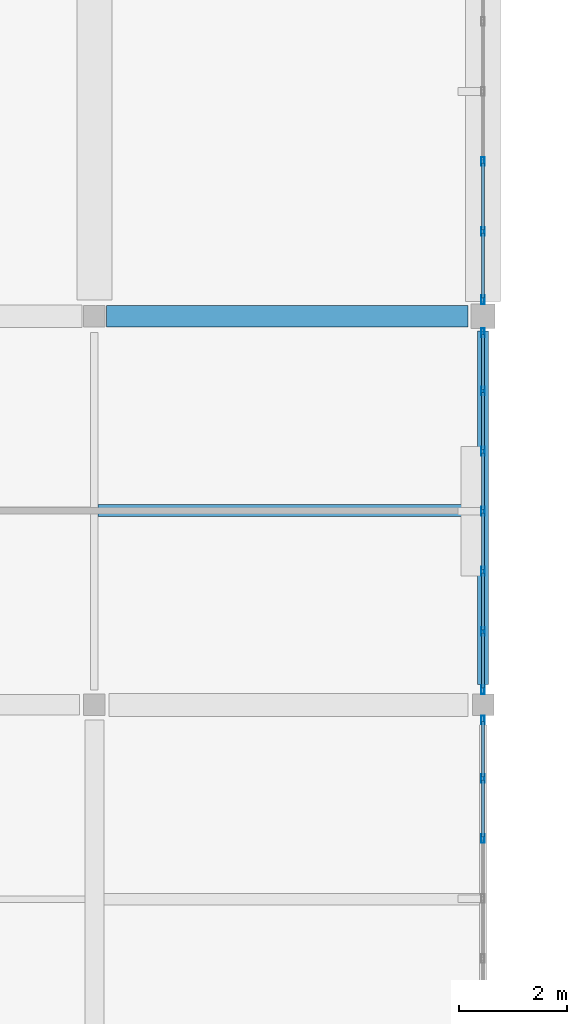
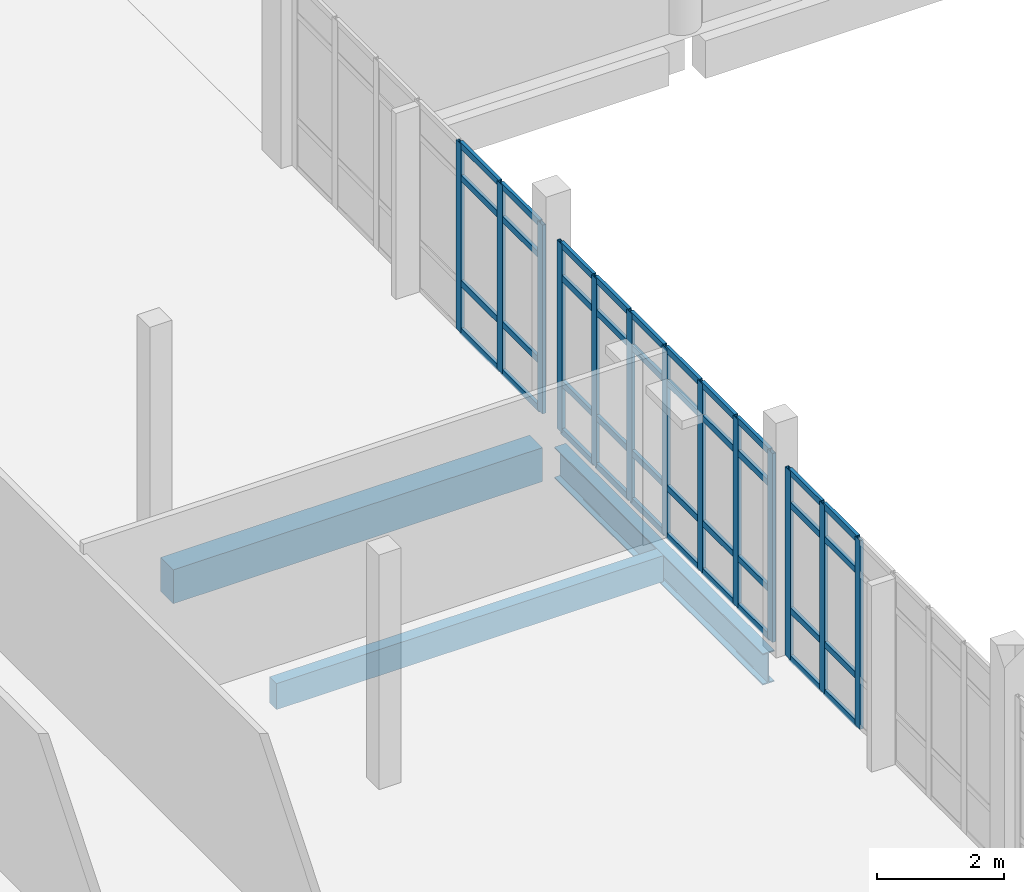
# One storey, part 22 of 62: 53 members, 3 beams, 3 elements without a shape of their own.
"""IFC4 building model written with IfcOpenShell, lengths in metres."""

from ifc_helpers import new_model, si_unit, direction, frame, origin, origin_2d, place, context, subcontext, project, spatial, rectangle, hollow_rectangle, i_section, extrude, material, material_profile, profile_set, type_object, element, aggregate, save


model = new_model("IFC4")

# Units and contexts
model_context = context("Model", 3, precision=1e-05, world=origin(), true_north=direction((0.0, 1.0)))
body_context = subcontext(model_context, "Body", "Model", "MODEL_VIEW")
ifc_project = project(units=[si_unit("LENGTHUNIT", "METRE"), si_unit("AREAUNIT", "SQUARE_METRE"), si_unit("VOLUMEUNIT", "CUBIC_METRE"), si_unit("PLANEANGLEUNIT", "RADIAN"), si_unit("MASSUNIT", "GRAM", prefix="KILO")], contexts=[model_context])

# Site, building, storey
site_placement = place(None, origin())
site = spatial("IfcSite", under=ifc_project, at=site_placement, CompositionType="ELEMENT")
building_placement = place(site_placement, origin())
building = spatial("IfcBuilding", under=site, at=building_placement, Name="Kalluvel Institute of Natural Sciences", CompositionType="ELEMENT")
storey_placement = place(building_placement, frame((0.0, 0.0, 27.89990234375)))
storey = spatial("IfcBuildingStorey", under=building, at=storey_placement, Name="L06", CompositionType="ELEMENT", Elevation=27.89990234375)

# Beams
ifc_material_1 = material(Name="Steel E350 Grade 350", Category="steel")
ifc_material_profile_1 = material_profile(ifc_material_1, i_section(OverallWidth=0.2099609375, OverallDepth=0.60009765625, WebThickness=0.011962890625, FlangeThickness=0.020751953125, FilletRadius=0.02001953125, at=origin_2d()), Name="ISMB 600")
ifc_profile_set_1 = profile_set([ifc_material_profile_1], Name="Steel E350 Grade 350")
beam_type_1 = type_object("IfcBeamType", Name="BM-ISMB600", PredefinedType="BEAM", material=ifc_profile_set_1)
beam_1_placement = place(storey_placement, frame((35.60009765625, 79.175048828125, -0.599853515625), z_axis=(0.0, 1.0, 0.0), x_axis=(-1.0, 0.0, 0.0)))
element("IfcBeam", 1, at=beam_1_placement, inside=storey, type_object=beam_type_1, Name="L06 girder GIR-L06-NS-X356-Y788", PredefinedType="BEAM", context=body_context, shape_type="SweptSolid", body=[
    extrude(i_section(OverallWidth=0.2099609375, OverallDepth=0.60009765625, WebThickness=0.011962890625, FlangeThickness=0.020751953125, FilletRadius=0.02001953125, at=origin_2d()), origin(), (0.0, 0.0, 1.0), 6.550048828125),
])
ifc_material_2 = material(Name="Concrete M40", Category="concrete")
ifc_material_profile_2 = material_profile(ifc_material_2, rectangle(XDim=0.39990234375, YDim=0.64990234375, at=origin_2d()), Name="RCB 400x650")
ifc_profile_set_2 = profile_set([ifc_material_profile_2], Name="Concrete M40")
beam_type_2 = type_object("IfcBeamType", Name="BM-RC400x650", PredefinedType="BEAM", material=ifc_profile_set_2)
beam_2_placement = place(storey_placement, frame((28.625, 86.0, -0.625), z_axis=(1.0, 0.0, 0.0), x_axis=(0.0, 1.0, 0.0)))
element("IfcBeam", 2, at=beam_2_placement, inside=storey, type_object=beam_type_2, Name="L06 girder GIR-L06-EW-X284-Y860", PredefinedType="BEAM", context=body_context, shape_type="SweptSolid", body=[
    extrude(rectangle(XDim=0.39990234375, YDim=0.64990234375, at=origin_2d()), origin(), (0.0, 0.0, 1.0), 6.699951171875),
])

# Curtain wall, members
ifc_material_3 = material(Name="Aluminium AW-6063 T6", Category="aluminium")
curtain_wall_type = type_object("IfcCurtainWallType", Name="CW-DRY-45", PredefinedType="USERDEFINED", material=ifc_material_3)
curtain_wall_1_placement = place(storey_placement, origin())
curtain_wall_1 = element("IfcCurtainWall", 3, at=curtain_wall_1_placement, inside=storey, type_object=curtain_wall_type, Name="L06 Gothic lancet curtain wall CWA-L06-X356-Y719", ObjectType="UNITISED LANCET FACADE", PredefinedType="USERDEFINED")
ifc_material_profile_3 = material_profile(ifc_material_3, hollow_rectangle(XDim=0.06005859375, YDim=0.159912109375, WallThickness=0.00390625, at=origin_2d()), Name="CWM 60x160")
ifc_profile_set_3 = profile_set([ifc_material_profile_3], Name="Aluminium AW-6063 T6")
member_type_1 = type_object("IfcMemberType", Name="CWM-60x160", PredefinedType="MULLION", material=ifc_profile_set_3)
member_1_placement = place(storey_placement, frame((35.60009765625, 76.324951171875, 0.0), z_axis=(0.0, 0.0, 1.0), x_axis=(-1.0, 0.0, 0.0)))
member_1 = element("IfcMember", 4, at=member_1_placement, type_object=member_type_1, Name="CW-03 mullion 5", PredefinedType="MULLION", context=body_context, shape_type="SweptSolid", body=[
    extrude(hollow_rectangle(XDim=0.06005859375, YDim=0.159912109375, WallThickness=0.00390625, at=origin_2d()), origin(), (0.0, 0.0, 1.0), 3.6201171875),
])
member_2_placement = place(storey_placement, frame((35.60009765625, 77.4375, 0.0), z_axis=(0.0, 0.0, 1.0), x_axis=(-1.0, 0.0, 0.0)))
member_2 = element("IfcMember", 5, at=member_2_placement, type_object=member_type_1, Name="CW-03 mullion 6", PredefinedType="MULLION", context=body_context, shape_type="SweptSolid", body=[
    extrude(hollow_rectangle(XDim=0.06005859375, YDim=0.159912109375, WallThickness=0.00390625, at=origin_2d()), origin(), (0.0, 0.0, 1.0), 3.6201171875),
])
member_3_placement = place(storey_placement, frame((35.60009765625, 78.52001953125, 0.0), z_axis=(0.0, 0.0, 1.0), x_axis=(-1.0, 0.0, 0.0)))
member_3 = element("IfcMember", 6, at=member_3_placement, type_object=member_type_1, Name="CW-03 mullion 7", PredefinedType="MULLION", context=body_context, shape_type="SweptSolid", body=[
    extrude(hollow_rectangle(XDim=0.06005859375, YDim=0.159912109375, WallThickness=0.00390625, at=origin_2d()), origin(), (0.0, 0.0, 1.0), 3.6201171875),
])

curtain_wall_2_placement = place(storey_placement, origin())
curtain_wall_2 = element("IfcCurtainWall", 7, at=curtain_wall_2_placement, inside=storey, type_object=curtain_wall_type, Name="L06 Gothic lancet curtain wall CWA-L06-X356-Y790", ObjectType="UNITISED LANCET FACADE", PredefinedType="USERDEFINED")
member_4_placement = place(storey_placement, frame((35.60009765625, 79.080078125, 0.0), z_axis=(0.0, 0.0, 1.0), x_axis=(-1.0, 0.0, 0.0)))
member_4 = element("IfcMember", 8, at=member_4_placement, type_object=member_type_1, Name="CW-03 mullion 1", PredefinedType="MULLION", context=body_context, shape_type="SweptSolid", body=[
    extrude(hollow_rectangle(XDim=0.06005859375, YDim=0.159912109375, WallThickness=0.00390625, at=origin_2d()), origin(), (0.0, 0.0, 1.0), 3.6201171875),
])
member_5_placement = place(storey_placement, frame((35.60009765625, 80.16259765625, 0.0), z_axis=(0.0, 0.0, 1.0), x_axis=(-1.0, 0.0, 0.0)))
member_5 = element("IfcMember", 9, at=member_5_placement, type_object=member_type_1, Name="CW-03 mullion 2", PredefinedType="MULLION", context=body_context, shape_type="SweptSolid", body=[
    extrude(hollow_rectangle(XDim=0.06005859375, YDim=0.159912109375, WallThickness=0.00390625, at=origin_2d()), origin(), (0.0, 0.0, 1.0), 3.6201171875),
])
member_6_placement = place(storey_placement, frame((35.60009765625, 81.27490234375, 0.0), z_axis=(0.0, 0.0, 1.0), x_axis=(-1.0, 0.0, 0.0)))
member_6 = element("IfcMember", 10, at=member_6_placement, type_object=member_type_1, Name="CW-03 mullion 3", PredefinedType="MULLION", context=body_context, shape_type="SweptSolid", body=[
    extrude(hollow_rectangle(XDim=0.06005859375, YDim=0.159912109375, WallThickness=0.00390625, at=origin_2d()), origin(), (0.0, 0.0, 1.0), 3.6201171875),
])
member_7_placement = place(storey_placement, frame((35.60009765625, 82.387451171875, 0.0), z_axis=(0.0, 0.0, 1.0), x_axis=(-1.0, 0.0, 0.0)))
member_7 = element("IfcMember", 11, at=member_7_placement, type_object=member_type_1, Name="CW-03 mullion 4", PredefinedType="MULLION", context=body_context, shape_type="SweptSolid", body=[
    extrude(hollow_rectangle(XDim=0.06005859375, YDim=0.159912109375, WallThickness=0.00390625, at=origin_2d()), origin(), (0.0, 0.0, 1.0), 3.6201171875),
])
member_8_placement = place(storey_placement, frame((35.60009765625, 83.5, 0.0), z_axis=(0.0, 0.0, 1.0), x_axis=(-1.0, 0.0, 0.0)))
member_8 = element("IfcMember", 12, at=member_8_placement, type_object=member_type_1, Name="CW-03 mullion 5", PredefinedType="MULLION", context=body_context, shape_type="SweptSolid", body=[
    extrude(hollow_rectangle(XDim=0.06005859375, YDim=0.159912109375, WallThickness=0.00390625, at=origin_2d()), origin(), (0.0, 0.0, 1.0), 3.6201171875),
])
member_9_placement = place(storey_placement, frame((35.60009765625, 84.612548828125, 0.0), z_axis=(0.0, 0.0, 1.0), x_axis=(-1.0, 0.0, 0.0)))
member_9 = element("IfcMember", 13, at=member_9_placement, type_object=member_type_1, Name="CW-03 mullion 6", PredefinedType="MULLION", context=body_context, shape_type="SweptSolid", body=[
    extrude(hollow_rectangle(XDim=0.06005859375, YDim=0.159912109375, WallThickness=0.00390625, at=origin_2d()), origin(), (0.0, 0.0, 1.0), 3.6201171875),
])
member_10_placement = place(storey_placement, frame((35.60009765625, 85.695068359375, 0.0), z_axis=(0.0, 0.0, 1.0), x_axis=(-1.0, 0.0, 0.0)))
member_10 = element("IfcMember", 14, at=member_10_placement, type_object=member_type_1, Name="CW-03 mullion 7", PredefinedType="MULLION", context=body_context, shape_type="SweptSolid", body=[
    extrude(hollow_rectangle(XDim=0.06005859375, YDim=0.159912109375, WallThickness=0.00390625, at=origin_2d()), origin(), (0.0, 0.0, 1.0), 3.6201171875),
])

curtain_wall_3_placement = place(storey_placement, origin())
curtain_wall_3 = element("IfcCurtainWall", 15, at=curtain_wall_3_placement, inside=storey, type_object=curtain_wall_type, Name="L06 Gothic lancet curtain wall CWA-L06-X356-Y863", ObjectType="UNITISED LANCET FACADE", PredefinedType="USERDEFINED")
member_11_placement = place(storey_placement, frame((35.60009765625, 86.304931640625, 0.0), z_axis=(0.0, 0.0, 1.0), x_axis=(-1.0, 0.0, 0.0)))
member_11 = element("IfcMember", 16, at=member_11_placement, type_object=member_type_1, Name="CW-03 mullion 1", PredefinedType="MULLION", context=body_context, shape_type="SweptSolid", body=[
    extrude(hollow_rectangle(XDim=0.06005859375, YDim=0.159912109375, WallThickness=0.00390625, at=origin_2d()), origin(), (0.0, 0.0, 1.0), 3.6201171875),
])
member_12_placement = place(storey_placement, frame((35.60009765625, 87.57080078125, 0.0), z_axis=(0.0, 0.0, 1.0), x_axis=(-1.0, 0.0, 0.0)))
member_12 = element("IfcMember", 17, at=member_12_placement, type_object=member_type_1, Name="CW-03 mullion 2", PredefinedType="MULLION", context=body_context, shape_type="SweptSolid", body=[
    extrude(hollow_rectangle(XDim=0.06005859375, YDim=0.159912109375, WallThickness=0.00390625, at=origin_2d()), origin(), (0.0, 0.0, 1.0), 3.6201171875),
])
member_13_placement = place(storey_placement, frame((35.60009765625, 88.86669921875, 0.0), z_axis=(0.0, 0.0, 1.0), x_axis=(-1.0, 0.0, 0.0)))
member_13 = element("IfcMember", 18, at=member_13_placement, type_object=member_type_1, Name="CW-03 mullion 3", PredefinedType="MULLION", context=body_context, shape_type="SweptSolid", body=[
    extrude(hollow_rectangle(XDim=0.06005859375, YDim=0.159912109375, WallThickness=0.00390625, at=origin_2d()), origin(), (0.0, 0.0, 1.0), 3.6201171875),
])

# Member
ifc_material_profile_4 = material_profile(ifc_material_3, hollow_rectangle(XDim=0.06005859375, YDim=0.1201171875, WallThickness=0.00390625, at=origin_2d()), Name="CWT 60x120")
ifc_profile_set_4 = profile_set([ifc_material_profile_4], Name="Aluminium AW-6063 T6")
member_type_2 = type_object("IfcMemberType", Name="CWT-60x120", PredefinedType="USERDEFINED", material=ifc_profile_set_4)
member_14_placement = place(storey_placement, frame((35.60009765625, 76.35498046875, 0.030029296875), z_axis=(0.0, 1.0, 0.0), x_axis=(-1.0, 0.0, 0.0)))
member_14 = element("IfcMember", 19, at=member_14_placement, type_object=member_type_2, Name="CW-03 transom 5.1", ObjectType="TRANSOM", PredefinedType="USERDEFINED", context=body_context, shape_type="SweptSolid", body=[
    extrude(hollow_rectangle(XDim=0.06005859375, YDim=0.1201171875, WallThickness=0.00390625, at=origin_2d()), origin(), (0.0, 0.0, 1.0), 1.052490234375),
])

member_15_placement = place(storey_placement, frame((35.60009765625, 76.35498046875, 0.9501953125), z_axis=(0.0, 1.0, 0.0), x_axis=(-1.0, 0.0, 0.0)))
member_15 = element("IfcMember", 20, at=member_15_placement, type_object=member_type_2, Name="CW-03 transom 5.2", ObjectType="TRANSOM", PredefinedType="USERDEFINED", context=body_context, shape_type="SweptSolid", body=[
    extrude(hollow_rectangle(XDim=0.06005859375, YDim=0.1201171875, WallThickness=0.00390625, at=origin_2d()), origin(), (0.0, 0.0, 1.0), 1.052490234375),
])

member_16_placement = place(storey_placement, frame((35.60009765625, 76.35498046875, 2.97021484375), z_axis=(0.0, 1.0, 0.0), x_axis=(-1.0, 0.0, 0.0)))
member_16 = element("IfcMember", 21, at=member_16_placement, type_object=member_type_2, Name="CW-03 transom 5.3", ObjectType="TRANSOM", PredefinedType="USERDEFINED", context=body_context, shape_type="SweptSolid", body=[
    extrude(hollow_rectangle(XDim=0.06005859375, YDim=0.1201171875, WallThickness=0.00390625, at=origin_2d()), origin(), (0.0, 0.0, 1.0), 1.052490234375),
])

member_17_placement = place(storey_placement, frame((35.60009765625, 76.35498046875, 3.590087890625), z_axis=(0.0, 1.0, 0.0), x_axis=(-1.0, 0.0, 0.0)))
member_17 = element("IfcMember", 22, at=member_17_placement, type_object=member_type_2, Name="CW-03 transom 5.4", ObjectType="TRANSOM", PredefinedType="USERDEFINED", context=body_context, shape_type="SweptSolid", body=[
    extrude(hollow_rectangle(XDim=0.06005859375, YDim=0.1201171875, WallThickness=0.00390625, at=origin_2d()), origin(), (0.0, 0.0, 1.0), 1.052490234375),
])

member_18_placement = place(storey_placement, frame((35.60009765625, 77.467529296875, 0.030029296875), z_axis=(0.0, 1.0, 0.0), x_axis=(-1.0, 0.0, 0.0)))
member_18 = element("IfcMember", 23, at=member_18_placement, type_object=member_type_2, Name="CW-03 transom 6.1", ObjectType="TRANSOM", PredefinedType="USERDEFINED", context=body_context, shape_type="SweptSolid", body=[
    extrude(hollow_rectangle(XDim=0.06005859375, YDim=0.1201171875, WallThickness=0.00390625, at=origin_2d()), origin(), (0.0, 0.0, 1.0), 1.0224609375),
])

member_19_placement = place(storey_placement, frame((35.60009765625, 77.467529296875, 0.9501953125), z_axis=(0.0, 1.0, 0.0), x_axis=(-1.0, 0.0, 0.0)))
member_19 = element("IfcMember", 24, at=member_19_placement, type_object=member_type_2, Name="CW-03 transom 6.2", ObjectType="TRANSOM", PredefinedType="USERDEFINED", context=body_context, shape_type="SweptSolid", body=[
    extrude(hollow_rectangle(XDim=0.06005859375, YDim=0.1201171875, WallThickness=0.00390625, at=origin_2d()), origin(), (0.0, 0.0, 1.0), 1.0224609375),
])

member_20_placement = place(storey_placement, frame((35.60009765625, 77.467529296875, 2.97021484375), z_axis=(0.0, 1.0, 0.0), x_axis=(-1.0, 0.0, 0.0)))
member_20 = element("IfcMember", 25, at=member_20_placement, type_object=member_type_2, Name="CW-03 transom 6.3", ObjectType="TRANSOM", PredefinedType="USERDEFINED", context=body_context, shape_type="SweptSolid", body=[
    extrude(hollow_rectangle(XDim=0.06005859375, YDim=0.1201171875, WallThickness=0.00390625, at=origin_2d()), origin(), (0.0, 0.0, 1.0), 1.0224609375),
])

member_21_placement = place(storey_placement, frame((35.60009765625, 77.467529296875, 3.590087890625), z_axis=(0.0, 1.0, 0.0), x_axis=(-1.0, 0.0, 0.0)))
member_21 = element("IfcMember", 26, at=member_21_placement, type_object=member_type_2, Name="CW-03 transom 6.4", ObjectType="TRANSOM", PredefinedType="USERDEFINED", context=body_context, shape_type="SweptSolid", body=[
    extrude(hollow_rectangle(XDim=0.06005859375, YDim=0.1201171875, WallThickness=0.00390625, at=origin_2d()), origin(), (0.0, 0.0, 1.0), 1.0224609375),
])

aggregate(curtain_wall_1, [member_1, member_2, member_3, member_14, member_15, member_16, member_17, member_18, member_19, member_20, member_21])

member_22_placement = place(storey_placement, frame((35.60009765625, 79.110107421875, 0.030029296875), z_axis=(0.0, 1.0, 0.0), x_axis=(-1.0, 0.0, 0.0)))
member_22 = element("IfcMember", 27, at=member_22_placement, type_object=member_type_2, Name="CW-03 transom 1.1", ObjectType="TRANSOM", PredefinedType="USERDEFINED", context=body_context, shape_type="SweptSolid", body=[
    extrude(hollow_rectangle(XDim=0.06005859375, YDim=0.1201171875, WallThickness=0.00390625, at=origin_2d()), origin(), (0.0, 0.0, 1.0), 1.0224609375),
])

member_23_placement = place(storey_placement, frame((35.60009765625, 79.110107421875, 0.9501953125), z_axis=(0.0, 1.0, 0.0), x_axis=(-1.0, 0.0, 0.0)))
member_23 = element("IfcMember", 28, at=member_23_placement, type_object=member_type_2, Name="CW-03 transom 1.2", ObjectType="TRANSOM", PredefinedType="USERDEFINED", context=body_context, shape_type="SweptSolid", body=[
    extrude(hollow_rectangle(XDim=0.06005859375, YDim=0.1201171875, WallThickness=0.00390625, at=origin_2d()), origin(), (0.0, 0.0, 1.0), 1.0224609375),
])

member_24_placement = place(storey_placement, frame((35.60009765625, 79.110107421875, 2.97021484375), z_axis=(0.0, 1.0, 0.0), x_axis=(-1.0, 0.0, 0.0)))
member_24 = element("IfcMember", 29, at=member_24_placement, type_object=member_type_2, Name="CW-03 transom 1.3", ObjectType="TRANSOM", PredefinedType="USERDEFINED", context=body_context, shape_type="SweptSolid", body=[
    extrude(hollow_rectangle(XDim=0.06005859375, YDim=0.1201171875, WallThickness=0.00390625, at=origin_2d()), origin(), (0.0, 0.0, 1.0), 1.0224609375),
])

member_25_placement = place(storey_placement, frame((35.60009765625, 79.110107421875, 3.590087890625), z_axis=(0.0, 1.0, 0.0), x_axis=(-1.0, 0.0, 0.0)))
member_25 = element("IfcMember", 30, at=member_25_placement, type_object=member_type_2, Name="CW-03 transom 1.4", ObjectType="TRANSOM", PredefinedType="USERDEFINED", context=body_context, shape_type="SweptSolid", body=[
    extrude(hollow_rectangle(XDim=0.06005859375, YDim=0.1201171875, WallThickness=0.00390625, at=origin_2d()), origin(), (0.0, 0.0, 1.0), 1.0224609375),
])

member_26_placement = place(storey_placement, frame((35.60009765625, 80.1923828125, 0.030029296875), z_axis=(0.0, 1.0, 0.0), x_axis=(-1.0, 0.0, 0.0)))
member_26 = element("IfcMember", 31, at=member_26_placement, type_object=member_type_2, Name="CW-03 transom 2.1", ObjectType="TRANSOM", PredefinedType="USERDEFINED", context=body_context, shape_type="SweptSolid", body=[
    extrude(hollow_rectangle(XDim=0.06005859375, YDim=0.1201171875, WallThickness=0.00390625, at=origin_2d()), origin(), (0.0, 0.0, 1.0), 1.052734375),
])

member_27_placement = place(storey_placement, frame((35.60009765625, 80.1923828125, 0.9501953125), z_axis=(0.0, 1.0, 0.0), x_axis=(-1.0, 0.0, 0.0)))
member_27 = element("IfcMember", 32, at=member_27_placement, type_object=member_type_2, Name="CW-03 transom 2.2", ObjectType="TRANSOM", PredefinedType="USERDEFINED", context=body_context, shape_type="SweptSolid", body=[
    extrude(hollow_rectangle(XDim=0.06005859375, YDim=0.1201171875, WallThickness=0.00390625, at=origin_2d()), origin(), (0.0, 0.0, 1.0), 1.052734375),
])

member_28_placement = place(storey_placement, frame((35.60009765625, 80.1923828125, 2.97021484375), z_axis=(0.0, 1.0, 0.0), x_axis=(-1.0, 0.0, 0.0)))
member_28 = element("IfcMember", 33, at=member_28_placement, type_object=member_type_2, Name="CW-03 transom 2.3", ObjectType="TRANSOM", PredefinedType="USERDEFINED", context=body_context, shape_type="SweptSolid", body=[
    extrude(hollow_rectangle(XDim=0.06005859375, YDim=0.1201171875, WallThickness=0.00390625, at=origin_2d()), origin(), (0.0, 0.0, 1.0), 1.052734375),
])

member_29_placement = place(storey_placement, frame((35.60009765625, 80.1923828125, 3.590087890625), z_axis=(0.0, 1.0, 0.0), x_axis=(-1.0, 0.0, 0.0)))
member_29 = element("IfcMember", 34, at=member_29_placement, type_object=member_type_2, Name="CW-03 transom 2.4", ObjectType="TRANSOM", PredefinedType="USERDEFINED", context=body_context, shape_type="SweptSolid", body=[
    extrude(hollow_rectangle(XDim=0.06005859375, YDim=0.1201171875, WallThickness=0.00390625, at=origin_2d()), origin(), (0.0, 0.0, 1.0), 1.052734375),
])

member_30_placement = place(storey_placement, frame((35.60009765625, 81.304931640625, 0.030029296875), z_axis=(0.0, 1.0, 0.0), x_axis=(-1.0, 0.0, 0.0)))
member_30 = element("IfcMember", 35, at=member_30_placement, type_object=member_type_2, Name="CW-03 transom 3.1", ObjectType="TRANSOM", PredefinedType="USERDEFINED", context=body_context, shape_type="SweptSolid", body=[
    extrude(hollow_rectangle(XDim=0.06005859375, YDim=0.1201171875, WallThickness=0.00390625, at=origin_2d()), origin(), (0.0, 0.0, 1.0), 1.052490234375),
])

member_31_placement = place(storey_placement, frame((35.60009765625, 81.304931640625, 0.9501953125), z_axis=(0.0, 1.0, 0.0), x_axis=(-1.0, 0.0, 0.0)))
member_31 = element("IfcMember", 36, at=member_31_placement, type_object=member_type_2, Name="CW-03 transom 3.2", ObjectType="TRANSOM", PredefinedType="USERDEFINED", context=body_context, shape_type="SweptSolid", body=[
    extrude(hollow_rectangle(XDim=0.06005859375, YDim=0.1201171875, WallThickness=0.00390625, at=origin_2d()), origin(), (0.0, 0.0, 1.0), 1.052490234375),
])

member_32_placement = place(storey_placement, frame((35.60009765625, 81.304931640625, 2.97021484375), z_axis=(0.0, 1.0, 0.0), x_axis=(-1.0, 0.0, 0.0)))
member_32 = element("IfcMember", 37, at=member_32_placement, type_object=member_type_2, Name="CW-03 transom 3.3", ObjectType="TRANSOM", PredefinedType="USERDEFINED", context=body_context, shape_type="SweptSolid", body=[
    extrude(hollow_rectangle(XDim=0.06005859375, YDim=0.1201171875, WallThickness=0.00390625, at=origin_2d()), origin(), (0.0, 0.0, 1.0), 1.052490234375),
])

member_33_placement = place(storey_placement, frame((35.60009765625, 81.304931640625, 3.590087890625), z_axis=(0.0, 1.0, 0.0), x_axis=(-1.0, 0.0, 0.0)))
member_33 = element("IfcMember", 38, at=member_33_placement, type_object=member_type_2, Name="CW-03 transom 3.4", ObjectType="TRANSOM", PredefinedType="USERDEFINED", context=body_context, shape_type="SweptSolid", body=[
    extrude(hollow_rectangle(XDim=0.06005859375, YDim=0.1201171875, WallThickness=0.00390625, at=origin_2d()), origin(), (0.0, 0.0, 1.0), 1.052490234375),
])

member_34_placement = place(storey_placement, frame((35.60009765625, 82.41748046875, 0.030029296875), z_axis=(0.0, 1.0, 0.0), x_axis=(-1.0, 0.0, 0.0)))
member_34 = element("IfcMember", 39, at=member_34_placement, type_object=member_type_2, Name="CW-03 transom 4.1", ObjectType="TRANSOM", PredefinedType="USERDEFINED", context=body_context, shape_type="SweptSolid", body=[
    extrude(hollow_rectangle(XDim=0.06005859375, YDim=0.1201171875, WallThickness=0.00390625, at=origin_2d()), origin(), (0.0, 0.0, 1.0), 1.052490234375),
])

member_35_placement = place(storey_placement, frame((35.60009765625, 82.41748046875, 0.9501953125), z_axis=(0.0, 1.0, 0.0), x_axis=(-1.0, 0.0, 0.0)))
member_35 = element("IfcMember", 40, at=member_35_placement, type_object=member_type_2, Name="CW-03 transom 4.2", ObjectType="TRANSOM", PredefinedType="USERDEFINED", context=body_context, shape_type="SweptSolid", body=[
    extrude(hollow_rectangle(XDim=0.06005859375, YDim=0.1201171875, WallThickness=0.00390625, at=origin_2d()), origin(), (0.0, 0.0, 1.0), 1.052490234375),
])

member_36_placement = place(storey_placement, frame((35.60009765625, 82.41748046875, 2.97021484375), z_axis=(0.0, 1.0, 0.0), x_axis=(-1.0, 0.0, 0.0)))
member_36 = element("IfcMember", 41, at=member_36_placement, type_object=member_type_2, Name="CW-03 transom 4.3", ObjectType="TRANSOM", PredefinedType="USERDEFINED", context=body_context, shape_type="SweptSolid", body=[
    extrude(hollow_rectangle(XDim=0.06005859375, YDim=0.1201171875, WallThickness=0.00390625, at=origin_2d()), origin(), (0.0, 0.0, 1.0), 1.052490234375),
])

member_37_placement = place(storey_placement, frame((35.60009765625, 82.41748046875, 3.590087890625), z_axis=(0.0, 1.0, 0.0), x_axis=(-1.0, 0.0, 0.0)))
member_37 = element("IfcMember", 42, at=member_37_placement, type_object=member_type_2, Name="CW-03 transom 4.4", ObjectType="TRANSOM", PredefinedType="USERDEFINED", context=body_context, shape_type="SweptSolid", body=[
    extrude(hollow_rectangle(XDim=0.06005859375, YDim=0.1201171875, WallThickness=0.00390625, at=origin_2d()), origin(), (0.0, 0.0, 1.0), 1.052490234375),
])

member_38_placement = place(storey_placement, frame((35.60009765625, 83.530029296875, 0.030029296875), z_axis=(0.0, 1.0, 0.0), x_axis=(-1.0, 0.0, 0.0)))
member_38 = element("IfcMember", 43, at=member_38_placement, type_object=member_type_2, Name="CW-03 transom 5.1", ObjectType="TRANSOM", PredefinedType="USERDEFINED", context=body_context, shape_type="SweptSolid", body=[
    extrude(hollow_rectangle(XDim=0.06005859375, YDim=0.1201171875, WallThickness=0.00390625, at=origin_2d()), origin(), (0.0, 0.0, 1.0), 1.052490234375),
])

member_39_placement = place(storey_placement, frame((35.60009765625, 83.530029296875, 0.9501953125), z_axis=(0.0, 1.0, 0.0), x_axis=(-1.0, 0.0, 0.0)))
member_39 = element("IfcMember", 44, at=member_39_placement, type_object=member_type_2, Name="CW-03 transom 5.2", ObjectType="TRANSOM", PredefinedType="USERDEFINED", context=body_context, shape_type="SweptSolid", body=[
    extrude(hollow_rectangle(XDim=0.06005859375, YDim=0.1201171875, WallThickness=0.00390625, at=origin_2d()), origin(), (0.0, 0.0, 1.0), 1.052490234375),
])

member_40_placement = place(storey_placement, frame((35.60009765625, 83.530029296875, 2.97021484375), z_axis=(0.0, 1.0, 0.0), x_axis=(-1.0, 0.0, 0.0)))
member_40 = element("IfcMember", 45, at=member_40_placement, type_object=member_type_2, Name="CW-03 transom 5.3", ObjectType="TRANSOM", PredefinedType="USERDEFINED", context=body_context, shape_type="SweptSolid", body=[
    extrude(hollow_rectangle(XDim=0.06005859375, YDim=0.1201171875, WallThickness=0.00390625, at=origin_2d()), origin(), (0.0, 0.0, 1.0), 1.052490234375),
])

member_41_placement = place(storey_placement, frame((35.60009765625, 83.530029296875, 3.590087890625), z_axis=(0.0, 1.0, 0.0), x_axis=(-1.0, 0.0, 0.0)))
member_41 = element("IfcMember", 46, at=member_41_placement, type_object=member_type_2, Name="CW-03 transom 5.4", ObjectType="TRANSOM", PredefinedType="USERDEFINED", context=body_context, shape_type="SweptSolid", body=[
    extrude(hollow_rectangle(XDim=0.06005859375, YDim=0.1201171875, WallThickness=0.00390625, at=origin_2d()), origin(), (0.0, 0.0, 1.0), 1.052490234375),
])

member_42_placement = place(storey_placement, frame((35.60009765625, 84.642578125, 0.030029296875), z_axis=(0.0, 1.0, 0.0), x_axis=(-1.0, 0.0, 0.0)))
member_42 = element("IfcMember", 47, at=member_42_placement, type_object=member_type_2, Name="CW-03 transom 6.1", ObjectType="TRANSOM", PredefinedType="USERDEFINED", context=body_context, shape_type="SweptSolid", body=[
    extrude(hollow_rectangle(XDim=0.06005859375, YDim=0.1201171875, WallThickness=0.00390625, at=origin_2d()), origin(), (0.0, 0.0, 1.0), 1.0224609375),
])

member_43_placement = place(storey_placement, frame((35.60009765625, 84.642578125, 0.9501953125), z_axis=(0.0, 1.0, 0.0), x_axis=(-1.0, 0.0, 0.0)))
member_43 = element("IfcMember", 48, at=member_43_placement, type_object=member_type_2, Name="CW-03 transom 6.2", ObjectType="TRANSOM", PredefinedType="USERDEFINED", context=body_context, shape_type="SweptSolid", body=[
    extrude(hollow_rectangle(XDim=0.06005859375, YDim=0.1201171875, WallThickness=0.00390625, at=origin_2d()), origin(), (0.0, 0.0, 1.0), 1.0224609375),
])

member_44_placement = place(storey_placement, frame((35.60009765625, 84.642578125, 2.97021484375), z_axis=(0.0, 1.0, 0.0), x_axis=(-1.0, 0.0, 0.0)))
member_44 = element("IfcMember", 49, at=member_44_placement, type_object=member_type_2, Name="CW-03 transom 6.3", ObjectType="TRANSOM", PredefinedType="USERDEFINED", context=body_context, shape_type="SweptSolid", body=[
    extrude(hollow_rectangle(XDim=0.06005859375, YDim=0.1201171875, WallThickness=0.00390625, at=origin_2d()), origin(), (0.0, 0.0, 1.0), 1.0224609375),
])

member_45_placement = place(storey_placement, frame((35.60009765625, 84.642578125, 3.590087890625), z_axis=(0.0, 1.0, 0.0), x_axis=(-1.0, 0.0, 0.0)))
member_45 = element("IfcMember", 50, at=member_45_placement, type_object=member_type_2, Name="CW-03 transom 6.4", ObjectType="TRANSOM", PredefinedType="USERDEFINED", context=body_context, shape_type="SweptSolid", body=[
    extrude(hollow_rectangle(XDim=0.06005859375, YDim=0.1201171875, WallThickness=0.00390625, at=origin_2d()), origin(), (0.0, 0.0, 1.0), 1.0224609375),
])

aggregate(curtain_wall_2, [member_4, member_5, member_6, member_7, member_8, member_9, member_10, member_22, member_23, member_24, member_25, member_26, member_27, member_28, member_29, member_30, member_31, member_32, member_33, member_34, member_35, member_36, member_37, member_38, member_39, member_40, member_41, member_42, member_43, member_44, member_45])

member_46_placement = place(storey_placement, frame((35.60009765625, 86.3349609375, 0.030029296875), z_axis=(0.0, 1.0, 0.0), x_axis=(-1.0, 0.0, 0.0)))
member_46 = element("IfcMember", 51, at=member_46_placement, type_object=member_type_2, Name="CW-03 transom 1.1", ObjectType="TRANSOM", PredefinedType="USERDEFINED", context=body_context, shape_type="SweptSolid", body=[
    extrude(hollow_rectangle(XDim=0.06005859375, YDim=0.1201171875, WallThickness=0.00390625, at=origin_2d()), origin(), (0.0, 0.0, 1.0), 1.205810546875),
])

member_47_placement = place(storey_placement, frame((35.60009765625, 86.3349609375, 0.9501953125), z_axis=(0.0, 1.0, 0.0), x_axis=(-1.0, 0.0, 0.0)))
member_47 = element("IfcMember", 52, at=member_47_placement, type_object=member_type_2, Name="CW-03 transom 1.2", ObjectType="TRANSOM", PredefinedType="USERDEFINED", context=body_context, shape_type="SweptSolid", body=[
    extrude(hollow_rectangle(XDim=0.06005859375, YDim=0.1201171875, WallThickness=0.00390625, at=origin_2d()), origin(), (0.0, 0.0, 1.0), 1.205810546875),
])

member_48_placement = place(storey_placement, frame((35.60009765625, 86.3349609375, 2.97021484375), z_axis=(0.0, 1.0, 0.0), x_axis=(-1.0, 0.0, 0.0)))
member_48 = element("IfcMember", 53, at=member_48_placement, type_object=member_type_2, Name="CW-03 transom 1.3", ObjectType="TRANSOM", PredefinedType="USERDEFINED", context=body_context, shape_type="SweptSolid", body=[
    extrude(hollow_rectangle(XDim=0.06005859375, YDim=0.1201171875, WallThickness=0.00390625, at=origin_2d()), origin(), (0.0, 0.0, 1.0), 1.205810546875),
])

member_49_placement = place(storey_placement, frame((35.60009765625, 86.3349609375, 3.590087890625), z_axis=(0.0, 1.0, 0.0), x_axis=(-1.0, 0.0, 0.0)))
member_49 = element("IfcMember", 54, at=member_49_placement, type_object=member_type_2, Name="CW-03 transom 1.4", ObjectType="TRANSOM", PredefinedType="USERDEFINED", context=body_context, shape_type="SweptSolid", body=[
    extrude(hollow_rectangle(XDim=0.06005859375, YDim=0.1201171875, WallThickness=0.00390625, at=origin_2d()), origin(), (0.0, 0.0, 1.0), 1.205810546875),
])

member_50_placement = place(storey_placement, frame((35.60009765625, 87.600830078125, 0.030029296875), z_axis=(0.0, 1.0, 0.0), x_axis=(-1.0, 0.0, 0.0)))
member_50 = element("IfcMember", 55, at=member_50_placement, type_object=member_type_2, Name="CW-03 transom 2.1", ObjectType="TRANSOM", PredefinedType="USERDEFINED", context=body_context, shape_type="SweptSolid", body=[
    extrude(hollow_rectangle(XDim=0.06005859375, YDim=0.1201171875, WallThickness=0.00390625, at=origin_2d()), origin(), (0.0, 0.0, 1.0), 1.23583984375),
])

member_51_placement = place(storey_placement, frame((35.60009765625, 87.600830078125, 0.9501953125), z_axis=(0.0, 1.0, 0.0), x_axis=(-1.0, 0.0, 0.0)))
member_51 = element("IfcMember", 56, at=member_51_placement, type_object=member_type_2, Name="CW-03 transom 2.2", ObjectType="TRANSOM", PredefinedType="USERDEFINED", context=body_context, shape_type="SweptSolid", body=[
    extrude(hollow_rectangle(XDim=0.06005859375, YDim=0.1201171875, WallThickness=0.00390625, at=origin_2d()), origin(), (0.0, 0.0, 1.0), 1.23583984375),
])

member_52_placement = place(storey_placement, frame((35.60009765625, 87.600830078125, 2.97021484375), z_axis=(0.0, 1.0, 0.0), x_axis=(-1.0, 0.0, 0.0)))
member_52 = element("IfcMember", 57, at=member_52_placement, type_object=member_type_2, Name="CW-03 transom 2.3", ObjectType="TRANSOM", PredefinedType="USERDEFINED", context=body_context, shape_type="SweptSolid", body=[
    extrude(hollow_rectangle(XDim=0.06005859375, YDim=0.1201171875, WallThickness=0.00390625, at=origin_2d()), origin(), (0.0, 0.0, 1.0), 1.23583984375),
])

member_53_placement = place(storey_placement, frame((35.60009765625, 87.600830078125, 3.590087890625), z_axis=(0.0, 1.0, 0.0), x_axis=(-1.0, 0.0, 0.0)))
member_53 = element("IfcMember", 58, at=member_53_placement, type_object=member_type_2, Name="CW-03 transom 2.4", ObjectType="TRANSOM", PredefinedType="USERDEFINED", context=body_context, shape_type="SweptSolid", body=[
    extrude(hollow_rectangle(XDim=0.06005859375, YDim=0.1201171875, WallThickness=0.00390625, at=origin_2d()), origin(), (0.0, 0.0, 1.0), 1.23583984375),
])

aggregate(curtain_wall_3, [member_11, member_12, member_13, member_46, member_47, member_48, member_49, member_50, member_51, member_52, member_53])

# Beam
ifc_material_profile_5 = material_profile(ifc_material_2, rectangle(XDim=0.219970703125, YDim=0.5, at=origin_2d()), Name="WAF 220x500")
ifc_profile_set_5 = profile_set([ifc_material_profile_5], Name="Concrete M40")
beam_type_3 = type_object("IfcBeamType", Name="WJ-220x500", PredefinedType="JOIST", material=ifc_profile_set_5)
beam_3_placement = place(storey_placement, frame((28.469970703125, 82.39990234375, -0.5498046875), z_axis=(1.0, 0.0, 0.0), x_axis=(0.0, 1.0, 0.0)))
element("IfcBeam", 59, at=beam_3_placement, inside=storey, type_object=beam_type_3, Name="L06 floor rib RIB-L06-0775", PredefinedType="JOIST", context=body_context, shape_type="SweptSolid", body=[
    extrude(rectangle(XDim=0.219970703125, YDim=0.5, at=origin_2d()), origin(), (0.0, 0.0, 1.0), 7.025146484375),
])

save(model, "model.ifc")
